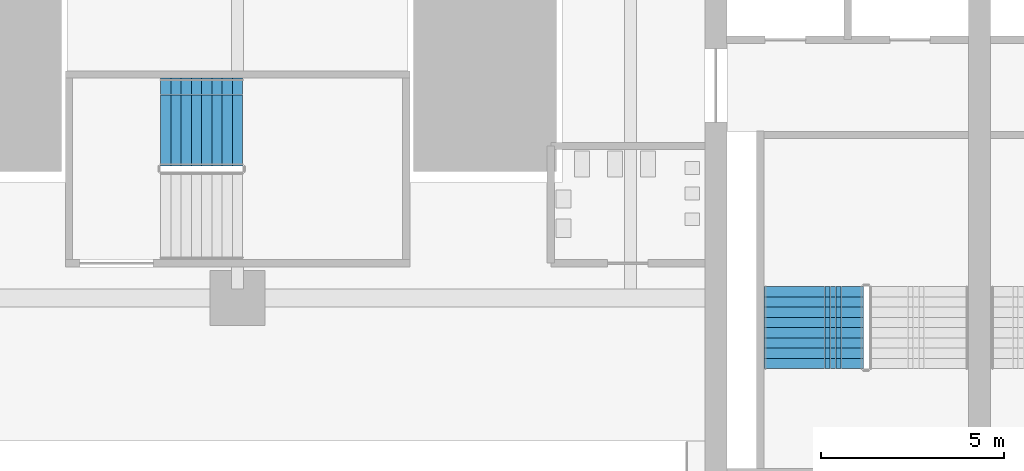
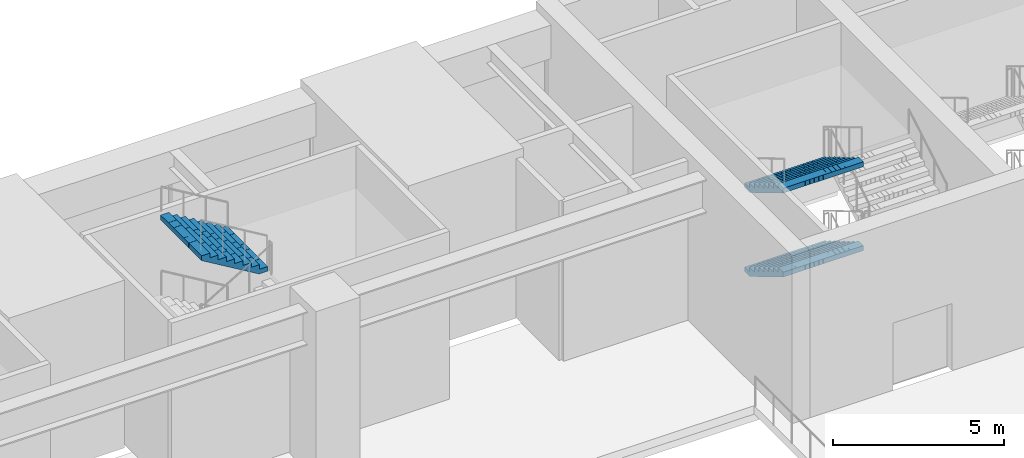
# One storey, part 32 of 41: 3 stair flights, 2 elements without a shape of their own.
"""IFC4 building model written with IfcOpenShell, lengths in metres."""

import ifcopenshell
import ifcopenshell.guid

model = None  # the IFC model being written
_history = None  # IfcOwnerHistory: only IFC2X3 demands one
_inside = {}  # id of a spatial element -> (the spatial element, [elements in it])
_under = {}  # id of a project, library or spatial element -> (it, [spatial elements below it])
_declared = {}  # id of a project -> (the project, [libraries it declares])
_typed = {}  # id of a type object -> (the type object, [elements of that type])
_made_of = {}  # id of a material, layer set ... -> (it, [elements and type objects made of it])


def new_model(schema):
    """Start an empty IFC model of exactly this schema.

    Asked for "IFC4X3", IfcOpenShell would pick the latest addendum, in which some entities
    have other attributes; the version numbers below select the first issue.
    IFC2X3 requires an IfcOwnerHistory on every rooted entity: one is made here for all.
    """
    global model, _history
    if schema == "IFC4X3":
        model = ifcopenshell.file(schema_version=(4, 3, 0, 0))
    else:
        model = ifcopenshell.file(schema=schema)
    _inside.clear()
    _under.clear()
    _declared.clear()
    _typed.clear()
    _made_of.clear()
    _history = None
    if model.schema == "IFC2X3":
        org = make("IfcOrganization", Name="unknown")
        user = make(
            "IfcPersonAndOrganization",
            ThePerson=make("IfcPerson", FamilyName="unknown"),
            TheOrganization=org,
        )
        app = make(
            "IfcApplication",
            ApplicationDeveloper=org,
            Version="unknown",
            ApplicationFullName="unknown",
            ApplicationIdentifier="unknown",
        )
        _history = make(
            "IfcOwnerHistory",
            OwningUser=user,
            OwningApplication=app,
            ChangeAction="ADDED",
            CreationDate=0,
        )
    return model


def make(cls, **values):
    """One entity of the class cls with the attributes given. An attribute that is None is left unset."""
    return model.create_entity(
        cls, **{name: value for name, value in values.items() if value is not None}
    )


def rooted(cls, **values):
    """An entity with a GlobalId (a new one), such as an element, a storey or a relation."""
    return make(cls, GlobalId=ifcopenshell.guid.new(), OwnerHistory=_history, **values)


def si_unit(unit_type, name, prefix=None):
    """IfcSIUnit, for example si_unit("LENGTHUNIT", "METRE", prefix="MILLI")."""
    return make("IfcSIUnit", UnitType=unit_type, Prefix=prefix, Name=name)


def assignment(units):
    """IfcUnitAssignment: the units of a project."""
    return None if units is None else make("IfcUnitAssignment", Units=units)


def point(xyz):
    """IfcCartesianPoint."""
    return None if xyz is None else make("IfcCartesianPoint", Coordinates=xyz)


def direction(xyz):
    """IfcDirection."""
    return None if xyz is None else make("IfcDirection", DirectionRatios=xyz)


def frame(location, z_axis=None, x_axis=None):
    """IfcAxis2Placement3D, a coordinate frame: its origin and axes. An axis left out is left unset."""
    return make(
        "IfcAxis2Placement3D",
        Location=point(location),
        Axis=direction(z_axis),
        RefDirection=direction(x_axis),
    )


def origin():
    """The frame at (0, 0, 0) with its axes left unset."""
    return frame((0.0, 0.0, 0.0))


def place(relative_to, where):
    """IfcLocalPlacement: puts the frame where relative to a parent placement (None: the world)."""
    return make(
        "IfcLocalPlacement", PlacementRelTo=relative_to, RelativePlacement=where
    )


def context(
    kind, dimensions, precision=None, world=None, true_north=None, identifier=None
):
    """IfcGeometricRepresentationContext, for example the 3D "Model" context."""
    return make(
        "IfcGeometricRepresentationContext",
        ContextIdentifier=identifier,
        ContextType=kind,
        CoordinateSpaceDimension=dimensions,
        Precision=precision,
        WorldCoordinateSystem=world,
        TrueNorth=true_north,
    )


def subcontext(parent, identifier, kind, view, scale=None):
    """IfcGeometricRepresentationSubContext, for example "Body" below "Model"."""
    return make(
        "IfcGeometricRepresentationSubContext",
        ContextIdentifier=identifier,
        ContextType=kind,
        ParentContext=parent,
        TargetScale=scale,
        TargetView=view,
    )


def project(units=None, contexts=None):
    """IfcProject with its units and contexts."""
    return rooted(
        "IfcProject",
        Name="project",
        RepresentationContexts=contexts,
        UnitsInContext=assignment(units),
    )


def spatial(cls, under=None, at=None, **own):
    """A site, building, storey or space (cls), placed at a placement, below another one or the project."""
    s = rooted(cls, ObjectPlacement=at, **own)
    if under is not None:
        _under.setdefault(under.id(), (under, []))[1].append(s)
    return s


def polyline(points):
    """IfcPolyline through the points."""
    return make("IfcPolyline", Points=[point(p) for p in points])


def outline(outer, holes=None, kind="AREA"):
    """IfcArbitraryClosedProfileDef: a profile drawn as a closed curve; with holes, ...WithVoids."""
    if holes is None:
        return make("IfcArbitraryClosedProfileDef", ProfileType=kind, OuterCurve=outer)
    return make(
        "IfcArbitraryProfileDefWithVoids",
        ProfileType=kind,
        OuterCurve=outer,
        InnerCurves=holes,
    )


def extrude(swept, where, along, depth):
    """IfcExtrudedAreaSolid: the profile swept, set in the frame where, extruded along a direction by depth."""
    return make(
        "IfcExtrudedAreaSolid",
        SweptArea=swept,
        Position=where,
        ExtrudedDirection=direction(along),
        Depth=depth,
    )


def shape(context_of_items, identifier, shape_type, items):
    """IfcShapeRepresentation: the items that make up one representation, for example the "Body"."""
    return make(
        "IfcShapeRepresentation",
        ContextOfItems=context_of_items,
        RepresentationIdentifier=identifier,
        RepresentationType=shape_type,
        Items=items,
    )


def material(Name=None, Category=None):
    """IfcMaterial."""
    return make("IfcMaterial", Name=Name, Category=Category)


def made_of(thing, what):
    """Note that an element or type object is made of a material, layer set ...; save() writes the relation."""
    if what is not None:
        _made_of.setdefault(what.id(), (what, []))[1].append(thing)
    return thing


def type_object(cls, material=None, **own):
    """A type object (cls), such as IfcWallType, which elements share."""
    return made_of(rooted(cls, **own), material)


def element(
    cls,
    number,
    at=None,
    inside=None,
    cuts=None,
    type_object=None,
    material=None,
    context=None,
    identifier="Body",
    shape_type=None,
    held_by="IfcProductDefinitionShape",
    body=None,
    shapes=None,
    **own,
):
    """One element of the class cls, such as IfcWall. Its Tag is "e" and its number.

    at: its placement. inside: the storey or other place that contains it. cuts: it is an
    opening in that element (IfcRelVoidsElement). A single representation is given by context,
    identifier, shape_type and body (its items); several are given by shapes. held_by: the class
    of the entity that holds the representations. save() writes the other relations.
    """
    e = rooted(cls, Tag="e%d" % number, ObjectPlacement=at, **own)
    if body is not None:
        shapes = [shape(context, identifier, shape_type, body)]
    if shapes is not None:
        e.Representation = make(held_by, Representations=shapes)
    if inside is not None:
        _inside.setdefault(inside.id(), (inside, []))[1].append(e)
    if cuts is not None:
        rooted(
            "IfcRelVoidsElement", RelatingBuildingElement=cuts, RelatedOpeningElement=e
        )
    if type_object is not None:
        _typed.setdefault(type_object.id(), (type_object, []))[1].append(e)
    return made_of(e, material)


def aggregate(whole, parts):
    """IfcRelAggregates: a whole, such as a stair, and the parts it consists of."""
    return rooted("IfcRelAggregates", RelatingObject=whole, RelatedObjects=parts)


def save(model, path):
    """Write the relations noted so far, then the file.

    IfcRelAggregates (storeys below a building ...), IfcRelContainedInSpatialStructure (elements
    in a storey), IfcRelDefinesByType, IfcRelAssociatesMaterial and IfcRelDeclares: one each for
    every whole, place, type object, material and project.
    """
    for whole, parts in _under.values():
        aggregate(whole, parts)
    for where, things in _inside.values():
        rooted(
            "IfcRelContainedInSpatialStructure",
            RelatedElements=things,
            RelatingStructure=where,
        )
    for kind, things in _typed.values():
        rooted("IfcRelDefinesByType", RelatedObjects=things, RelatingType=kind)
    for what, things in _made_of.values():
        rooted("IfcRelAssociatesMaterial", RelatedObjects=things, RelatingMaterial=what)
    for by, libraries in _declared.values():
        rooted("IfcRelDeclares", RelatingContext=by, RelatedDefinitions=libraries)
    model.write(path)


model = new_model("IFC4")

# Units and contexts
model_context = context("Model", 3, precision=1e-05, world=origin(), true_north=direction((0.0, 1.0)))
body_context = subcontext(model_context, "Body", "Model", "MODEL_VIEW")
ifc_project = project(units=[si_unit("LENGTHUNIT", "METRE"), si_unit("AREAUNIT", "SQUARE_METRE"), si_unit("VOLUMEUNIT", "CUBIC_METRE"), si_unit("PLANEANGLEUNIT", "RADIAN"), si_unit("MASSUNIT", "GRAM", prefix="KILO")], contexts=[model_context])

# Site, building, storey
site_placement = place(None, origin())
site = spatial("IfcSite", under=ifc_project, at=site_placement, CompositionType="ELEMENT")
building_placement = place(site_placement, origin())
building = spatial("IfcBuilding", under=site, at=building_placement, Name="Corbelhall Arena Tower", CompositionType="ELEMENT")
storey_placement = place(building_placement, frame((0.0, 0.0, 19.0)))
storey = spatial("IfcBuildingStorey", under=building, at=storey_placement, Name="L02", CompositionType="ELEMENT", Elevation=19.0)

# Stair, stair flight
ifc_material = material(Name="Reinforced concrete C40/50", Category="concrete")
stair_type = type_object("IfcStairType", Name="AR-EXIT-STAIR", PredefinedType="HALF_TURN_STAIR", material=ifc_material)
stair_1_placement = place(storey_placement, origin())
stair_1 = element("IfcStair", 1, at=stair_1_placement, inside=storey, type_object=stair_type, Name="L02 exit stair AS12", PredefinedType="HALF_TURN_STAIR")
stair_flight_type = type_object("IfcStairFlightType", Name="AR-EXIT-FLIGHT", PredefinedType="STRAIGHT", material=ifc_material)
stair_flight_1_placement = place(storey_placement, frame((20.389892578125, 34.050048828125, 4.5), z_axis=(0.0, 0.0, 1.0), x_axis=(-1.0, 0.0, 0.0)))
stair_flight_1 = element("IfcStairFlight", 2, at=stair_flight_1_placement, type_object=stair_flight_type, Name="AS12 flight 4", NumberOfRisers=9, NumberOfTreads=8, PredefinedType="STRAIGHT", RiserHeight=0.166666667, TreadLength=0.28, context=body_context, shape_type="SweptSolid", body=[
    extrude(outline(polyline([(0.0, 0.0), (0.0, 0.166748046875), (0.280029296875, 0.166748046875), (0.280029296875, 0.333251953125), (0.56005859375, 0.333251953125), (0.56005859375, 0.5), (0.840087890625, 0.5), (0.840087890625, 0.666748046875), (1.1201171875, 0.666748046875), (1.1201171875, 0.833251953125), (1.39990234375, 0.833251953125), (1.39990234375, 1.0), (1.679931640625, 1.0), (1.679931640625, 1.166748046875), (1.9599609375, 1.166748046875), (1.9599609375, 1.333251953125), (2.239990234375, 1.333251953125), (2.239990234375, 1.5), (2.239990234375, 1.158935546875), (0.29296875, 0.0), (0.0, 0.0)])), frame((0.0, 1.199951171875, 0.0), z_axis=(0.0, -1.0, 0.0), x_axis=(1.0, 0.0, 0.0)), (0.0, 0.0, 1.0), 0.449951171875),
    extrude(outline(polyline([(0.0, 0.0), (0.0, 0.166748046875), (0.280029296875, 0.166748046875), (0.280029296875, 0.333251953125), (0.56005859375, 0.333251953125), (0.56005859375, 0.5), (0.840087890625, 0.5), (0.840087890625, 0.666748046875), (1.1201171875, 0.666748046875), (1.1201171875, 0.833251953125), (1.39990234375, 0.833251953125), (1.39990234375, 1.0), (1.679931640625, 1.0), (1.679931640625, 1.166748046875), (1.9599609375, 1.166748046875), (1.9599609375, 1.333251953125), (2.239990234375, 1.333251953125), (2.239990234375, 1.5), (2.239990234375, 1.158935546875), (0.29296875, 0.0), (0.0, 0.0)])), frame((0.0, 0.745849609375, 0.0), z_axis=(0.0, -1.0, 0.0), x_axis=(1.0, 0.0, 0.0)), (0.0, 0.0, 1.0), 0.295166015625),
    extrude(outline(polyline([(0.0, 0.0), (0.0, 0.166748046875), (0.280029296875, 0.166748046875), (0.280029296875, 0.333251953125), (0.56005859375, 0.333251953125), (0.56005859375, 0.5), (0.840087890625, 0.5), (0.840087890625, 0.666748046875), (1.1201171875, 0.666748046875), (1.1201171875, 0.833251953125), (1.39990234375, 0.833251953125), (1.39990234375, 1.0), (1.679931640625, 1.0), (1.679931640625, 1.166748046875), (1.9599609375, 1.166748046875), (1.9599609375, 1.333251953125), (2.239990234375, 1.333251953125), (2.239990234375, 1.5), (2.239990234375, 1.158935546875), (0.29296875, 0.0), (0.0, 0.0)])), frame((0.0, 0.44677734375, 0.0), z_axis=(0.0, -1.0, 0.0), x_axis=(1.0, 0.0, 0.0)), (0.0, 0.0, 1.0), 0.295166015625),
    extrude(outline(polyline([(0.0, 0.0), (0.0, 0.166748046875), (0.280029296875, 0.166748046875), (0.280029296875, 0.333251953125), (0.56005859375, 0.333251953125), (0.56005859375, 0.5), (0.840087890625, 0.5), (0.840087890625, 0.666748046875), (1.1201171875, 0.666748046875), (1.1201171875, 0.833251953125), (1.39990234375, 0.833251953125), (1.39990234375, 1.0), (1.679931640625, 1.0), (1.679931640625, 1.166748046875), (1.9599609375, 1.166748046875), (1.9599609375, 1.333251953125), (2.239990234375, 1.333251953125), (2.239990234375, 1.5), (2.239990234375, 1.158935546875), (0.29296875, 0.0), (0.0, 0.0)])), frame((0.0, 0.147705078125, 0.0), z_axis=(0.0, -1.0, 0.0), x_axis=(1.0, 0.0, 0.0)), (0.0, 0.0, 1.0), 0.295166015625),
    extrude(outline(polyline([(0.0, 0.0), (0.0, 0.166748046875), (0.280029296875, 0.166748046875), (0.280029296875, 0.333251953125), (0.56005859375, 0.333251953125), (0.56005859375, 0.5), (0.840087890625, 0.5), (0.840087890625, 0.666748046875), (1.1201171875, 0.666748046875), (1.1201171875, 0.833251953125), (1.39990234375, 0.833251953125), (1.39990234375, 1.0), (1.679931640625, 1.0), (1.679931640625, 1.166748046875), (1.9599609375, 1.166748046875), (1.9599609375, 1.333251953125), (2.239990234375, 1.333251953125), (2.239990234375, 1.5), (2.239990234375, 1.158935546875), (0.29296875, 0.0), (0.0, 0.0)])), frame((0.0, -0.151611328125, 0.0), z_axis=(0.0, -1.0, 0.0), x_axis=(1.0, 0.0, 0.0)), (0.0, 0.0, 1.0), 0.295166015625),
    extrude(outline(polyline([(0.0, 0.0), (0.0, 0.166748046875), (0.280029296875, 0.166748046875), (0.280029296875, 0.333251953125), (0.56005859375, 0.333251953125), (0.56005859375, 0.5), (0.840087890625, 0.5), (0.840087890625, 0.666748046875), (1.1201171875, 0.666748046875), (1.1201171875, 0.833251953125), (1.39990234375, 0.833251953125), (1.39990234375, 1.0), (1.679931640625, 1.0), (1.679931640625, 1.166748046875), (1.9599609375, 1.166748046875), (1.9599609375, 1.333251953125), (2.239990234375, 1.333251953125), (2.239990234375, 1.5), (2.239990234375, 1.158935546875), (0.29296875, 0.0), (0.0, 0.0)])), frame((0.0, -0.45068359375, 0.0), z_axis=(0.0, -1.0, 0.0), x_axis=(1.0, 0.0, 0.0)), (0.0, 0.0, 1.0), 0.295166015625),
    extrude(outline(polyline([(0.0, 0.0), (0.0, 0.166748046875), (0.280029296875, 0.166748046875), (0.280029296875, 0.333251953125), (0.56005859375, 0.333251953125), (0.56005859375, 0.5), (0.840087890625, 0.5), (0.840087890625, 0.666748046875), (1.1201171875, 0.666748046875), (1.1201171875, 0.833251953125), (1.39990234375, 0.833251953125), (1.39990234375, 1.0), (1.679931640625, 1.0), (1.679931640625, 1.166748046875), (1.9599609375, 1.166748046875), (1.9599609375, 1.333251953125), (2.239990234375, 1.333251953125), (2.239990234375, 1.5), (2.239990234375, 1.158935546875), (0.29296875, 0.0), (0.0, 0.0)])), frame((0.0, -0.75, 0.0), z_axis=(0.0, -1.0, 0.0), x_axis=(1.0, 0.0, 0.0)), (0.0, 0.0, 1.0), 0.449951171875),
])
aggregate(stair_1, [stair_flight_1])

# Stair, stair flights
stair_2_placement = place(storey_placement, origin())
stair_2 = element("IfcStair", 3, at=stair_2_placement, inside=storey, type_object=stair_type, Name="L02 exit stair AS1", PredefinedType="HALF_TURN_STAIR")
stair_flight_2_placement = place(storey_placement, frame((35.969970703125, 29.56005859375, 1.5), z_axis=(0.0, 0.0, 1.0), x_axis=(0.0, -1.0, 0.0)))
stair_flight_2 = element("IfcStairFlight", 4, at=stair_flight_2_placement, type_object=stair_flight_type, Name="AS1 flight 2", NumberOfRisers=9, NumberOfTreads=8, PredefinedType="STRAIGHT", RiserHeight=0.166666667, TreadLength=0.28, context=body_context, shape_type="SweptSolid", body=[
    extrude(outline(polyline([(0.0, 0.0), (0.0, 0.166748046875), (0.280029296875, 0.166748046875), (0.280029296875, 0.333251953125), (0.56005859375, 0.333251953125), (0.56005859375, 0.5), (0.840087890625, 0.5), (0.840087890625, 0.666748046875), (1.1201171875, 0.666748046875), (1.1201171875, 0.833251953125), (1.39990234375, 0.833251953125), (1.39990234375, 1.0), (1.679931640625, 1.0), (1.679931640625, 1.166748046875), (1.9599609375, 1.166748046875), (1.9599609375, 1.333251953125), (2.239990234375, 1.333251953125), (2.239990234375, 1.5), (2.239990234375, 1.158935546875), (0.29296875, 0.0), (0.0, 0.0)])), frame((0.0, 1.35986328125, 0.0), z_axis=(0.0, -1.0, 0.0), x_axis=(1.0, 0.0, 0.0)), (0.0, 0.0, 1.0), 0.449951171875),
    extrude(outline(polyline([(0.0, 0.0), (0.0, 0.166748046875), (0.280029296875, 0.166748046875), (0.280029296875, 0.333251953125), (0.56005859375, 0.333251953125), (0.56005859375, 0.5), (0.840087890625, 0.5), (0.840087890625, 0.666748046875), (1.1201171875, 0.666748046875), (1.1201171875, 0.833251953125), (1.39990234375, 0.833251953125), (1.39990234375, 1.0), (1.679931640625, 1.0), (1.679931640625, 1.166748046875), (1.9599609375, 1.166748046875), (1.9599609375, 1.333251953125), (2.239990234375, 1.333251953125), (2.239990234375, 1.5), (2.239990234375, 1.158935546875), (0.29296875, 0.0), (0.0, 0.0)])), frame((0.0, 0.906005859375, 0.0), z_axis=(0.0, -1.0, 0.0), x_axis=(1.0, 0.0, 0.0)), (0.0, 0.0, 1.0), 0.147216796875),
    extrude(outline(polyline([(0.0, 0.0), (0.0, 0.166748046875), (0.280029296875, 0.166748046875), (0.280029296875, 0.333251953125), (0.56005859375, 0.333251953125), (0.56005859375, 0.5), (0.840087890625, 0.5), (0.840087890625, 0.666748046875), (1.1201171875, 0.666748046875), (1.1201171875, 0.833251953125), (1.39990234375, 0.833251953125), (1.39990234375, 1.0), (1.679931640625, 1.0), (1.679931640625, 1.166748046875), (1.9599609375, 1.166748046875), (1.9599609375, 1.333251953125), (2.239990234375, 1.333251953125), (2.239990234375, 1.5), (2.239990234375, 1.158935546875), (0.29296875, 0.0), (0.0, 0.0)])), frame((0.0, 0.754638671875, 0.0), z_axis=(0.0, -1.0, 0.0), x_axis=(1.0, 0.0, 0.0)), (0.0, 0.0, 1.0), 0.147216796875),
    extrude(outline(polyline([(0.0, 0.0), (0.0, 0.166748046875), (0.280029296875, 0.166748046875), (0.280029296875, 0.333251953125), (0.56005859375, 0.333251953125), (0.56005859375, 0.5), (0.840087890625, 0.5), (0.840087890625, 0.666748046875), (1.1201171875, 0.666748046875), (1.1201171875, 0.833251953125), (1.39990234375, 0.833251953125), (1.39990234375, 1.0), (1.679931640625, 1.0), (1.679931640625, 1.166748046875), (1.9599609375, 1.166748046875), (1.9599609375, 1.333251953125), (2.239990234375, 1.333251953125), (2.239990234375, 1.5), (2.239990234375, 1.158935546875), (0.29296875, 0.0), (0.0, 0.0)])), frame((0.0, 0.603271484375, 0.0), z_axis=(0.0, -1.0, 0.0), x_axis=(1.0, 0.0, 0.0)), (0.0, 0.0, 1.0), 0.147216796875),
    extrude(outline(polyline([(0.0, 0.0), (0.0, 0.166748046875), (0.280029296875, 0.166748046875), (0.280029296875, 0.333251953125), (0.56005859375, 0.333251953125), (0.56005859375, 0.5), (0.840087890625, 0.5), (0.840087890625, 0.666748046875), (1.1201171875, 0.666748046875), (1.1201171875, 0.833251953125), (1.39990234375, 0.833251953125), (1.39990234375, 1.0), (1.679931640625, 1.0), (1.679931640625, 1.166748046875), (1.9599609375, 1.166748046875), (1.9599609375, 1.333251953125), (2.239990234375, 1.333251953125), (2.239990234375, 1.5), (2.239990234375, 1.158935546875), (0.29296875, 0.0), (0.0, 0.0)])), frame((0.0, 0.451904296875, 0.0), z_axis=(0.0, -1.0, 0.0), x_axis=(1.0, 0.0, 0.0)), (0.0, 0.0, 1.0), 0.147216796875),
    extrude(outline(polyline([(0.0, 0.0), (0.0, 0.166748046875), (0.280029296875, 0.166748046875), (0.280029296875, 0.333251953125), (0.56005859375, 0.333251953125), (0.56005859375, 0.5), (0.840087890625, 0.5), (0.840087890625, 0.666748046875), (1.1201171875, 0.666748046875), (1.1201171875, 0.833251953125), (1.39990234375, 0.833251953125), (1.39990234375, 1.0), (1.679931640625, 1.0), (1.679931640625, 1.166748046875), (1.9599609375, 1.166748046875), (1.9599609375, 1.333251953125), (2.239990234375, 1.333251953125), (2.239990234375, 1.5), (2.239990234375, 1.158935546875), (0.29296875, 0.0), (0.0, 0.0)])), frame((0.0, 0.30078125, 0.0), z_axis=(0.0, -1.0, 0.0), x_axis=(1.0, 0.0, 0.0)), (0.0, 0.0, 1.0), 0.147216796875),
    extrude(outline(polyline([(0.0, 0.0), (0.0, 0.166748046875), (0.280029296875, 0.166748046875), (0.280029296875, 0.333251953125), (0.56005859375, 0.333251953125), (0.56005859375, 0.5), (0.840087890625, 0.5), (0.840087890625, 0.666748046875), (1.1201171875, 0.666748046875), (1.1201171875, 0.833251953125), (1.39990234375, 0.833251953125), (1.39990234375, 1.0), (1.679931640625, 1.0), (1.679931640625, 1.166748046875), (1.9599609375, 1.166748046875), (1.9599609375, 1.333251953125), (2.239990234375, 1.333251953125), (2.239990234375, 1.5), (2.239990234375, 1.158935546875), (0.29296875, 0.0), (0.0, 0.0)])), frame((0.0, 0.1494140625, 0.0), z_axis=(0.0, -1.0, 0.0), x_axis=(1.0, 0.0, 0.0)), (0.0, 0.0, 1.0), 0.147216796875),
    extrude(outline(polyline([(0.0, 0.0), (0.0, 0.166748046875), (0.280029296875, 0.166748046875), (0.280029296875, 0.333251953125), (0.56005859375, 0.333251953125), (0.56005859375, 0.5), (0.840087890625, 0.5), (0.840087890625, 0.666748046875), (1.1201171875, 0.666748046875), (1.1201171875, 0.833251953125), (1.39990234375, 0.833251953125), (1.39990234375, 1.0), (1.679931640625, 1.0), (1.679931640625, 1.166748046875), (1.9599609375, 1.166748046875), (1.9599609375, 1.333251953125), (2.239990234375, 1.333251953125), (2.239990234375, 1.5), (2.239990234375, 1.158935546875), (0.29296875, 0.0), (0.0, 0.0)])), frame((0.0, -0.001953125, 0.0), z_axis=(0.0, -1.0, 0.0), x_axis=(1.0, 0.0, 0.0)), (0.0, 0.0, 1.0), 0.147216796875),
    extrude(outline(polyline([(0.0, 0.0), (0.0, 0.166748046875), (0.280029296875, 0.166748046875), (0.280029296875, 0.333251953125), (0.56005859375, 0.333251953125), (0.56005859375, 0.5), (0.840087890625, 0.5), (0.840087890625, 0.666748046875), (1.1201171875, 0.666748046875), (1.1201171875, 0.833251953125), (1.39990234375, 0.833251953125), (1.39990234375, 1.0), (1.679931640625, 1.0), (1.679931640625, 1.166748046875), (1.9599609375, 1.166748046875), (1.9599609375, 1.333251953125), (2.239990234375, 1.333251953125), (2.239990234375, 1.5), (2.239990234375, 1.158935546875), (0.29296875, 0.0), (0.0, 0.0)])), frame((0.0, -0.1533203125, 0.0), z_axis=(0.0, -1.0, 0.0), x_axis=(1.0, 0.0, 0.0)), (0.0, 0.0, 1.0), 0.147216796875),
    extrude(outline(polyline([(0.0, 0.0), (0.0, 0.166748046875), (0.280029296875, 0.166748046875), (0.280029296875, 0.333251953125), (0.56005859375, 0.333251953125), (0.56005859375, 0.5), (0.840087890625, 0.5), (0.840087890625, 0.666748046875), (1.1201171875, 0.666748046875), (1.1201171875, 0.833251953125), (1.39990234375, 0.833251953125), (1.39990234375, 1.0), (1.679931640625, 1.0), (1.679931640625, 1.166748046875), (1.9599609375, 1.166748046875), (1.9599609375, 1.333251953125), (2.239990234375, 1.333251953125), (2.239990234375, 1.5), (2.239990234375, 1.158935546875), (0.29296875, 0.0), (0.0, 0.0)])), frame((0.0, -0.3046875, 0.0), z_axis=(0.0, -1.0, 0.0), x_axis=(1.0, 0.0, 0.0)), (0.0, 0.0, 1.0), 0.147216796875),
    extrude(outline(polyline([(0.0, 0.0), (0.0, 0.166748046875), (0.280029296875, 0.166748046875), (0.280029296875, 0.333251953125), (0.56005859375, 0.333251953125), (0.56005859375, 0.5), (0.840087890625, 0.5), (0.840087890625, 0.666748046875), (1.1201171875, 0.666748046875), (1.1201171875, 0.833251953125), (1.39990234375, 0.833251953125), (1.39990234375, 1.0), (1.679931640625, 1.0), (1.679931640625, 1.166748046875), (1.9599609375, 1.166748046875), (1.9599609375, 1.333251953125), (2.239990234375, 1.333251953125), (2.239990234375, 1.5), (2.239990234375, 1.158935546875), (0.29296875, 0.0), (0.0, 0.0)])), frame((0.0, -0.4560546875, 0.0), z_axis=(0.0, -1.0, 0.0), x_axis=(1.0, 0.0, 0.0)), (0.0, 0.0, 1.0), 0.147216796875),
    extrude(outline(polyline([(0.0, 0.0), (0.0, 0.166748046875), (0.280029296875, 0.166748046875), (0.280029296875, 0.333251953125), (0.56005859375, 0.333251953125), (0.56005859375, 0.5), (0.840087890625, 0.5), (0.840087890625, 0.666748046875), (1.1201171875, 0.666748046875), (1.1201171875, 0.833251953125), (1.39990234375, 0.833251953125), (1.39990234375, 1.0), (1.679931640625, 1.0), (1.679931640625, 1.166748046875), (1.9599609375, 1.166748046875), (1.9599609375, 1.333251953125), (2.239990234375, 1.333251953125), (2.239990234375, 1.5), (2.239990234375, 1.158935546875), (0.29296875, 0.0), (0.0, 0.0)])), frame((0.0, -0.607421875, 0.0), z_axis=(0.0, -1.0, 0.0), x_axis=(1.0, 0.0, 0.0)), (0.0, 0.0, 1.0), 0.147216796875),
    extrude(outline(polyline([(0.0, 0.0), (0.0, 0.166748046875), (0.280029296875, 0.166748046875), (0.280029296875, 0.333251953125), (0.56005859375, 0.333251953125), (0.56005859375, 0.5), (0.840087890625, 0.5), (0.840087890625, 0.666748046875), (1.1201171875, 0.666748046875), (1.1201171875, 0.833251953125), (1.39990234375, 0.833251953125), (1.39990234375, 1.0), (1.679931640625, 1.0), (1.679931640625, 1.166748046875), (1.9599609375, 1.166748046875), (1.9599609375, 1.333251953125), (2.239990234375, 1.333251953125), (2.239990234375, 1.5), (2.239990234375, 1.158935546875), (0.29296875, 0.0), (0.0, 0.0)])), frame((0.0, -0.758544921875, 0.0), z_axis=(0.0, -1.0, 0.0), x_axis=(1.0, 0.0, 0.0)), (0.0, 0.0, 1.0), 0.147216796875),
    extrude(outline(polyline([(0.0, 0.0), (0.0, 0.166748046875), (0.280029296875, 0.166748046875), (0.280029296875, 0.333251953125), (0.56005859375, 0.333251953125), (0.56005859375, 0.5), (0.840087890625, 0.5), (0.840087890625, 0.666748046875), (1.1201171875, 0.666748046875), (1.1201171875, 0.833251953125), (1.39990234375, 0.833251953125), (1.39990234375, 1.0), (1.679931640625, 1.0), (1.679931640625, 1.166748046875), (1.9599609375, 1.166748046875), (1.9599609375, 1.333251953125), (2.239990234375, 1.333251953125), (2.239990234375, 1.5), (2.239990234375, 1.158935546875), (0.29296875, 0.0), (0.0, 0.0)])), frame((0.0, -0.909912109375, 0.0), z_axis=(0.0, -1.0, 0.0), x_axis=(1.0, 0.0, 0.0)), (0.0, 0.0, 1.0), 0.449951171875),
])
stair_flight_3_placement = place(storey_placement, frame((35.969970703125, 29.56005859375, 4.5), z_axis=(0.0, 0.0, 1.0), x_axis=(0.0, -1.0, 0.0)))
stair_flight_3 = element("IfcStairFlight", 5, at=stair_flight_3_placement, type_object=stair_flight_type, Name="AS1 flight 4", NumberOfRisers=9, NumberOfTreads=8, PredefinedType="STRAIGHT", RiserHeight=0.166666667, TreadLength=0.28, context=body_context, shape_type="SweptSolid", body=[
    extrude(outline(polyline([(0.0, 0.0), (0.0, 0.166748046875), (0.280029296875, 0.166748046875), (0.280029296875, 0.333251953125), (0.56005859375, 0.333251953125), (0.56005859375, 0.5), (0.840087890625, 0.5), (0.840087890625, 0.666748046875), (1.1201171875, 0.666748046875), (1.1201171875, 0.833251953125), (1.39990234375, 0.833251953125), (1.39990234375, 1.0), (1.679931640625, 1.0), (1.679931640625, 1.166748046875), (1.9599609375, 1.166748046875), (1.9599609375, 1.333251953125), (2.239990234375, 1.333251953125), (2.239990234375, 1.5), (2.239990234375, 1.158935546875), (0.29296875, 0.0), (0.0, 0.0)])), frame((0.0, 1.35986328125, 0.0), z_axis=(0.0, -1.0, 0.0), x_axis=(1.0, 0.0, 0.0)), (0.0, 0.0, 1.0), 0.449951171875),
    extrude(outline(polyline([(0.0, 0.0), (0.0, 0.166748046875), (0.280029296875, 0.166748046875), (0.280029296875, 0.333251953125), (0.56005859375, 0.333251953125), (0.56005859375, 0.5), (0.840087890625, 0.5), (0.840087890625, 0.666748046875), (1.1201171875, 0.666748046875), (1.1201171875, 0.833251953125), (1.39990234375, 0.833251953125), (1.39990234375, 1.0), (1.679931640625, 1.0), (1.679931640625, 1.166748046875), (1.9599609375, 1.166748046875), (1.9599609375, 1.333251953125), (2.239990234375, 1.333251953125), (2.239990234375, 1.5), (2.239990234375, 1.158935546875), (0.29296875, 0.0), (0.0, 0.0)])), frame((0.0, 0.906005859375, 0.0), z_axis=(0.0, -1.0, 0.0), x_axis=(1.0, 0.0, 0.0)), (0.0, 0.0, 1.0), 0.147216796875),
    extrude(outline(polyline([(0.0, 0.0), (0.0, 0.166748046875), (0.280029296875, 0.166748046875), (0.280029296875, 0.333251953125), (0.56005859375, 0.333251953125), (0.56005859375, 0.5), (0.840087890625, 0.5), (0.840087890625, 0.666748046875), (1.1201171875, 0.666748046875), (1.1201171875, 0.833251953125), (1.39990234375, 0.833251953125), (1.39990234375, 1.0), (1.679931640625, 1.0), (1.679931640625, 1.166748046875), (1.9599609375, 1.166748046875), (1.9599609375, 1.333251953125), (2.239990234375, 1.333251953125), (2.239990234375, 1.5), (2.239990234375, 1.158935546875), (0.29296875, 0.0), (0.0, 0.0)])), frame((0.0, 0.754638671875, 0.0), z_axis=(0.0, -1.0, 0.0), x_axis=(1.0, 0.0, 0.0)), (0.0, 0.0, 1.0), 0.147216796875),
    extrude(outline(polyline([(0.0, 0.0), (0.0, 0.166748046875), (0.280029296875, 0.166748046875), (0.280029296875, 0.333251953125), (0.56005859375, 0.333251953125), (0.56005859375, 0.5), (0.840087890625, 0.5), (0.840087890625, 0.666748046875), (1.1201171875, 0.666748046875), (1.1201171875, 0.833251953125), (1.39990234375, 0.833251953125), (1.39990234375, 1.0), (1.679931640625, 1.0), (1.679931640625, 1.166748046875), (1.9599609375, 1.166748046875), (1.9599609375, 1.333251953125), (2.239990234375, 1.333251953125), (2.239990234375, 1.5), (2.239990234375, 1.158935546875), (0.29296875, 0.0), (0.0, 0.0)])), frame((0.0, 0.603271484375, 0.0), z_axis=(0.0, -1.0, 0.0), x_axis=(1.0, 0.0, 0.0)), (0.0, 0.0, 1.0), 0.147216796875),
    extrude(outline(polyline([(0.0, 0.0), (0.0, 0.166748046875), (0.280029296875, 0.166748046875), (0.280029296875, 0.333251953125), (0.56005859375, 0.333251953125), (0.56005859375, 0.5), (0.840087890625, 0.5), (0.840087890625, 0.666748046875), (1.1201171875, 0.666748046875), (1.1201171875, 0.833251953125), (1.39990234375, 0.833251953125), (1.39990234375, 1.0), (1.679931640625, 1.0), (1.679931640625, 1.166748046875), (1.9599609375, 1.166748046875), (1.9599609375, 1.333251953125), (2.239990234375, 1.333251953125), (2.239990234375, 1.5), (2.239990234375, 1.158935546875), (0.29296875, 0.0), (0.0, 0.0)])), frame((0.0, 0.451904296875, 0.0), z_axis=(0.0, -1.0, 0.0), x_axis=(1.0, 0.0, 0.0)), (0.0, 0.0, 1.0), 0.147216796875),
    extrude(outline(polyline([(0.0, 0.0), (0.0, 0.166748046875), (0.280029296875, 0.166748046875), (0.280029296875, 0.333251953125), (0.56005859375, 0.333251953125), (0.56005859375, 0.5), (0.840087890625, 0.5), (0.840087890625, 0.666748046875), (1.1201171875, 0.666748046875), (1.1201171875, 0.833251953125), (1.39990234375, 0.833251953125), (1.39990234375, 1.0), (1.679931640625, 1.0), (1.679931640625, 1.166748046875), (1.9599609375, 1.166748046875), (1.9599609375, 1.333251953125), (2.239990234375, 1.333251953125), (2.239990234375, 1.5), (2.239990234375, 1.158935546875), (0.29296875, 0.0), (0.0, 0.0)])), frame((0.0, 0.30078125, 0.0), z_axis=(0.0, -1.0, 0.0), x_axis=(1.0, 0.0, 0.0)), (0.0, 0.0, 1.0), 0.147216796875),
    extrude(outline(polyline([(0.0, 0.0), (0.0, 0.166748046875), (0.280029296875, 0.166748046875), (0.280029296875, 0.333251953125), (0.56005859375, 0.333251953125), (0.56005859375, 0.5), (0.840087890625, 0.5), (0.840087890625, 0.666748046875), (1.1201171875, 0.666748046875), (1.1201171875, 0.833251953125), (1.39990234375, 0.833251953125), (1.39990234375, 1.0), (1.679931640625, 1.0), (1.679931640625, 1.166748046875), (1.9599609375, 1.166748046875), (1.9599609375, 1.333251953125), (2.239990234375, 1.333251953125), (2.239990234375, 1.5), (2.239990234375, 1.158935546875), (0.29296875, 0.0), (0.0, 0.0)])), frame((0.0, 0.1494140625, 0.0), z_axis=(0.0, -1.0, 0.0), x_axis=(1.0, 0.0, 0.0)), (0.0, 0.0, 1.0), 0.147216796875),
    extrude(outline(polyline([(0.0, 0.0), (0.0, 0.166748046875), (0.280029296875, 0.166748046875), (0.280029296875, 0.333251953125), (0.56005859375, 0.333251953125), (0.56005859375, 0.5), (0.840087890625, 0.5), (0.840087890625, 0.666748046875), (1.1201171875, 0.666748046875), (1.1201171875, 0.833251953125), (1.39990234375, 0.833251953125), (1.39990234375, 1.0), (1.679931640625, 1.0), (1.679931640625, 1.166748046875), (1.9599609375, 1.166748046875), (1.9599609375, 1.333251953125), (2.239990234375, 1.333251953125), (2.239990234375, 1.5), (2.239990234375, 1.158935546875), (0.29296875, 0.0), (0.0, 0.0)])), frame((0.0, -0.001953125, 0.0), z_axis=(0.0, -1.0, 0.0), x_axis=(1.0, 0.0, 0.0)), (0.0, 0.0, 1.0), 0.147216796875),
    extrude(outline(polyline([(0.0, 0.0), (0.0, 0.166748046875), (0.280029296875, 0.166748046875), (0.280029296875, 0.333251953125), (0.56005859375, 0.333251953125), (0.56005859375, 0.5), (0.840087890625, 0.5), (0.840087890625, 0.666748046875), (1.1201171875, 0.666748046875), (1.1201171875, 0.833251953125), (1.39990234375, 0.833251953125), (1.39990234375, 1.0), (1.679931640625, 1.0), (1.679931640625, 1.166748046875), (1.9599609375, 1.166748046875), (1.9599609375, 1.333251953125), (2.239990234375, 1.333251953125), (2.239990234375, 1.5), (2.239990234375, 1.158935546875), (0.29296875, 0.0), (0.0, 0.0)])), frame((0.0, -0.1533203125, 0.0), z_axis=(0.0, -1.0, 0.0), x_axis=(1.0, 0.0, 0.0)), (0.0, 0.0, 1.0), 0.147216796875),
    extrude(outline(polyline([(0.0, 0.0), (0.0, 0.166748046875), (0.280029296875, 0.166748046875), (0.280029296875, 0.333251953125), (0.56005859375, 0.333251953125), (0.56005859375, 0.5), (0.840087890625, 0.5), (0.840087890625, 0.666748046875), (1.1201171875, 0.666748046875), (1.1201171875, 0.833251953125), (1.39990234375, 0.833251953125), (1.39990234375, 1.0), (1.679931640625, 1.0), (1.679931640625, 1.166748046875), (1.9599609375, 1.166748046875), (1.9599609375, 1.333251953125), (2.239990234375, 1.333251953125), (2.239990234375, 1.5), (2.239990234375, 1.158935546875), (0.29296875, 0.0), (0.0, 0.0)])), frame((0.0, -0.3046875, 0.0), z_axis=(0.0, -1.0, 0.0), x_axis=(1.0, 0.0, 0.0)), (0.0, 0.0, 1.0), 0.147216796875),
    extrude(outline(polyline([(0.0, 0.0), (0.0, 0.166748046875), (0.280029296875, 0.166748046875), (0.280029296875, 0.333251953125), (0.56005859375, 0.333251953125), (0.56005859375, 0.5), (0.840087890625, 0.5), (0.840087890625, 0.666748046875), (1.1201171875, 0.666748046875), (1.1201171875, 0.833251953125), (1.39990234375, 0.833251953125), (1.39990234375, 1.0), (1.679931640625, 1.0), (1.679931640625, 1.166748046875), (1.9599609375, 1.166748046875), (1.9599609375, 1.333251953125), (2.239990234375, 1.333251953125), (2.239990234375, 1.5), (2.239990234375, 1.158935546875), (0.29296875, 0.0), (0.0, 0.0)])), frame((0.0, -0.4560546875, 0.0), z_axis=(0.0, -1.0, 0.0), x_axis=(1.0, 0.0, 0.0)), (0.0, 0.0, 1.0), 0.147216796875),
    extrude(outline(polyline([(0.0, 0.0), (0.0, 0.166748046875), (0.280029296875, 0.166748046875), (0.280029296875, 0.333251953125), (0.56005859375, 0.333251953125), (0.56005859375, 0.5), (0.840087890625, 0.5), (0.840087890625, 0.666748046875), (1.1201171875, 0.666748046875), (1.1201171875, 0.833251953125), (1.39990234375, 0.833251953125), (1.39990234375, 1.0), (1.679931640625, 1.0), (1.679931640625, 1.166748046875), (1.9599609375, 1.166748046875), (1.9599609375, 1.333251953125), (2.239990234375, 1.333251953125), (2.239990234375, 1.5), (2.239990234375, 1.158935546875), (0.29296875, 0.0), (0.0, 0.0)])), frame((0.0, -0.607421875, 0.0), z_axis=(0.0, -1.0, 0.0), x_axis=(1.0, 0.0, 0.0)), (0.0, 0.0, 1.0), 0.147216796875),
    extrude(outline(polyline([(0.0, 0.0), (0.0, 0.166748046875), (0.280029296875, 0.166748046875), (0.280029296875, 0.333251953125), (0.56005859375, 0.333251953125), (0.56005859375, 0.5), (0.840087890625, 0.5), (0.840087890625, 0.666748046875), (1.1201171875, 0.666748046875), (1.1201171875, 0.833251953125), (1.39990234375, 0.833251953125), (1.39990234375, 1.0), (1.679931640625, 1.0), (1.679931640625, 1.166748046875), (1.9599609375, 1.166748046875), (1.9599609375, 1.333251953125), (2.239990234375, 1.333251953125), (2.239990234375, 1.5), (2.239990234375, 1.158935546875), (0.29296875, 0.0), (0.0, 0.0)])), frame((0.0, -0.758544921875, 0.0), z_axis=(0.0, -1.0, 0.0), x_axis=(1.0, 0.0, 0.0)), (0.0, 0.0, 1.0), 0.147216796875),
    extrude(outline(polyline([(0.0, 0.0), (0.0, 0.166748046875), (0.280029296875, 0.166748046875), (0.280029296875, 0.333251953125), (0.56005859375, 0.333251953125), (0.56005859375, 0.5), (0.840087890625, 0.5), (0.840087890625, 0.666748046875), (1.1201171875, 0.666748046875), (1.1201171875, 0.833251953125), (1.39990234375, 0.833251953125), (1.39990234375, 1.0), (1.679931640625, 1.0), (1.679931640625, 1.166748046875), (1.9599609375, 1.166748046875), (1.9599609375, 1.333251953125), (2.239990234375, 1.333251953125), (2.239990234375, 1.5), (2.239990234375, 1.158935546875), (0.29296875, 0.0), (0.0, 0.0)])), frame((0.0, -0.909912109375, 0.0), z_axis=(0.0, -1.0, 0.0), x_axis=(1.0, 0.0, 0.0)), (0.0, 0.0, 1.0), 0.449951171875),
])
aggregate(stair_2, [stair_flight_2, stair_flight_3])

save(model, "model.ifc")
